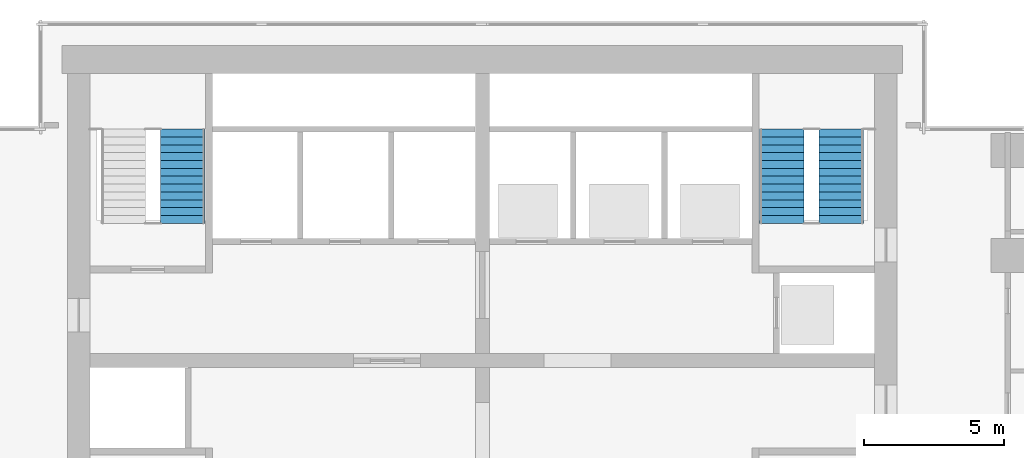
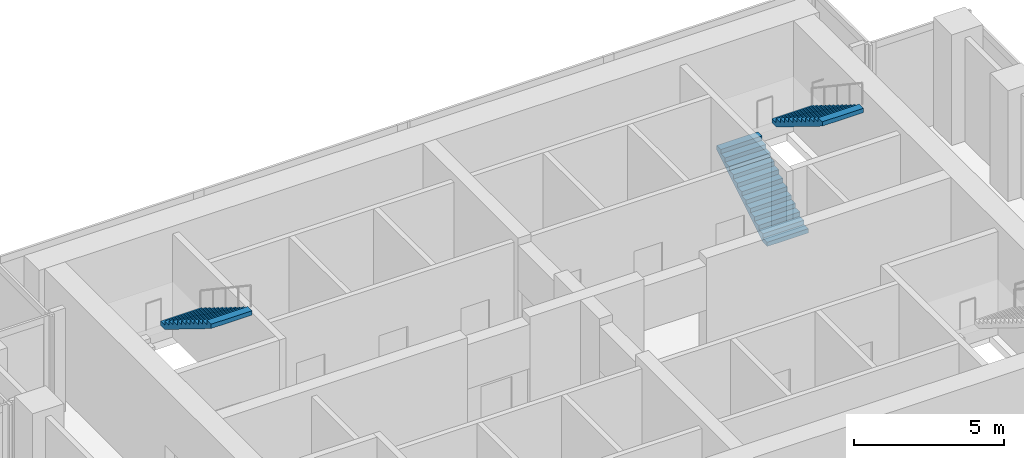
# One storey, part 6 of 8: 3 stair flights, 2 elements without a shape of their own.
"""IFC4 building model written with IfcOpenShell, lengths in metres."""

from ifc_helpers import new_model, si_unit, direction, frame, origin, place, context, subcontext, project, spatial, polyline, outline, extrude, material, type_object, element, aggregate, save


model = new_model("IFC4")

# Units and contexts
model_context = context("Model", 3, precision=1e-05, world=origin(), true_north=direction((0.0, 1.0)))
body_context = subcontext(model_context, "Body", "Model", "MODEL_VIEW")
ifc_project = project(units=[si_unit("LENGTHUNIT", "METRE"), si_unit("AREAUNIT", "SQUARE_METRE"), si_unit("VOLUMEUNIT", "CUBIC_METRE"), si_unit("PLANEANGLEUNIT", "RADIAN"), si_unit("MASSUNIT", "GRAM", prefix="KILO")], contexts=[model_context])

# Site, building, storey
site_placement = place(None, origin())
site = spatial("IfcSite", under=ifc_project, at=site_placement, CompositionType="ELEMENT")
building_placement = place(site_placement, origin())
building = spatial("IfcBuilding", under=site, at=building_placement, Name="Pilkhan Gate Tower", CompositionType="ELEMENT")
storey_placement = place(building_placement, frame((0.0, 0.0, 143.199951171875)))
storey = spatial("IfcBuildingStorey", under=building, at=storey_placement, Name="L36", CompositionType="ELEMENT", Elevation=143.199951171875)

# Stair, stair flight
ifc_material = material(Name="Concrete C40/50 precast", Category="concrete")
stair_type_1 = type_object("IfcStairType", Name="Stair ST3 173x280", PredefinedType="HALF_TURN_STAIR", material=ifc_material)
stair_1_placement = place(storey_placement, origin())
stair_1 = element("IfcStair", 1, at=stair_1_placement, inside=storey, type_object=stair_type_1, Name="Stair ST3 L36", PredefinedType="HALF_TURN_STAIR")
stair_flight_type_1 = type_object("IfcStairFlightType", Name="Stair flight ST3 173x280x13", PredefinedType="STRAIGHT", material=ifc_material)
stair_flight_1_placement = place(storey_placement, frame((64.31005859375, 90.760009765625, 2.25), z_axis=(0.0, 0.0, 1.0), x_axis=(0.0, -1.0, 0.0)))
stair_flight_1 = element("IfcStairFlight", 2, at=stair_flight_1_placement, type_object=stair_flight_type_1, Name="ST3 flight 2", NumberOfRisers=13, NumberOfTreads=12, PredefinedType="STRAIGHT", RiserHeight=0.173076923, TreadLength=0.28, context=body_context, shape_type="SweptSolid", body=[
    extrude(outline(polyline([(0.0, 0.0), (0.0, 0.173095703125), (0.280029296875, 0.173095703125), (0.280029296875, 0.34619140625), (0.56005859375, 0.34619140625), (0.56005859375, 0.519287109375), (0.840087890625, 0.519287109375), (0.840087890625, 0.6923828125), (1.1201171875, 0.6923828125), (1.1201171875, 0.865478515625), (1.39990234375, 0.865478515625), (1.39990234375, 1.03857421875), (1.679931640625, 1.03857421875), (1.679931640625, 1.21142578125), (1.9599609375, 1.21142578125), (1.9599609375, 1.384521484375), (2.239990234375, 1.384521484375), (2.239990234375, 1.5576171875), (2.52001953125, 1.5576171875), (2.52001953125, 1.730712890625), (2.800048828125, 1.730712890625), (2.800048828125, 1.90380859375), (3.080078125, 1.90380859375), (3.080078125, 2.076904296875), (3.360107421875, 2.076904296875), (3.360107421875, 2.25), (3.360107421875, 1.900634765625), (0.28515625, 0.0), (0.0, 0.0)])), frame((0.0, 0.7900390625, 0.0), z_axis=(0.0, -1.0, 0.0), x_axis=(1.0, 0.0, 0.0)), (0.0, 0.0, 1.0), 1.580078125),
])
aggregate(stair_1, [stair_flight_1])

# Stair, stair flights
stair_type_2 = type_object("IfcStairType", Name="Stair ST4 173x280", PredefinedType="HALF_TURN_STAIR", material=ifc_material)
stair_2_placement = place(storey_placement, origin())
stair_2 = element("IfcStair", 3, at=stair_2_placement, inside=storey, type_object=stair_type_2, Name="Stair ST4 L36", PredefinedType="HALF_TURN_STAIR")
stair_flight_type_2 = type_object("IfcStairFlightType", Name="Stair flight ST4 173x280x13", PredefinedType="STRAIGHT", material=ifc_material)
stair_flight_2_placement = place(storey_placement, frame((85.68994140625, 87.39990234375, 0.0), z_axis=(0.0, 0.0, 1.0), x_axis=(0.0, 1.0, 0.0)))
stair_flight_2 = element("IfcStairFlight", 4, at=stair_flight_2_placement, type_object=stair_flight_type_2, Name="ST4 flight 1", NumberOfRisers=13, NumberOfTreads=12, PredefinedType="STRAIGHT", RiserHeight=0.173076923, TreadLength=0.28, context=body_context, shape_type="SweptSolid", body=[
    extrude(outline(polyline([(0.0, 0.0), (0.0, 0.173095703125), (0.280029296875, 0.173095703125), (0.280029296875, 0.34619140625), (0.56005859375, 0.34619140625), (0.56005859375, 0.519287109375), (0.840087890625, 0.519287109375), (0.840087890625, 0.6923828125), (1.1201171875, 0.6923828125), (1.1201171875, 0.865478515625), (1.39990234375, 0.865478515625), (1.39990234375, 1.03857421875), (1.679931640625, 1.03857421875), (1.679931640625, 1.21142578125), (1.9599609375, 1.21142578125), (1.9599609375, 1.384521484375), (2.239990234375, 1.384521484375), (2.239990234375, 1.5576171875), (2.52001953125, 1.5576171875), (2.52001953125, 1.730712890625), (2.800048828125, 1.730712890625), (2.800048828125, 1.90380859375), (3.080078125, 1.90380859375), (3.080078125, 2.076904296875), (3.360107421875, 2.076904296875), (3.360107421875, 2.25), (3.360107421875, 1.900634765625), (0.28515625, 0.0), (0.0, 0.0)])), frame((0.0, 0.7900390625, 0.0), z_axis=(0.0, -1.0, 0.0), x_axis=(1.0, 0.0, 0.0)), (0.0, 0.0, 1.0), 1.580078125),
])
stair_flight_3_placement = place(storey_placement, frame((87.81005859375, 90.760009765625, 2.25), z_axis=(0.0, 0.0, 1.0), x_axis=(0.0, -1.0, 0.0)))
stair_flight_3 = element("IfcStairFlight", 5, at=stair_flight_3_placement, type_object=stair_flight_type_2, Name="ST4 flight 2", NumberOfRisers=13, NumberOfTreads=12, PredefinedType="STRAIGHT", RiserHeight=0.173076923, TreadLength=0.28, context=body_context, shape_type="SweptSolid", body=[
    extrude(outline(polyline([(0.0, 0.0), (0.0, 0.173095703125), (0.280029296875, 0.173095703125), (0.280029296875, 0.34619140625), (0.56005859375, 0.34619140625), (0.56005859375, 0.519287109375), (0.840087890625, 0.519287109375), (0.840087890625, 0.6923828125), (1.1201171875, 0.6923828125), (1.1201171875, 0.865478515625), (1.39990234375, 0.865478515625), (1.39990234375, 1.03857421875), (1.679931640625, 1.03857421875), (1.679931640625, 1.21142578125), (1.9599609375, 1.21142578125), (1.9599609375, 1.384521484375), (2.239990234375, 1.384521484375), (2.239990234375, 1.5576171875), (2.52001953125, 1.5576171875), (2.52001953125, 1.730712890625), (2.800048828125, 1.730712890625), (2.800048828125, 1.90380859375), (3.080078125, 1.90380859375), (3.080078125, 2.076904296875), (3.360107421875, 2.076904296875), (3.360107421875, 2.25), (3.360107421875, 1.900634765625), (0.28515625, 0.0), (0.0, 0.0)])), frame((0.0, 0.7900390625, 0.0), z_axis=(0.0, -1.0, 0.0), x_axis=(1.0, 0.0, 0.0)), (0.0, 0.0, 1.0), 1.580078125),
])
aggregate(stair_2, [stair_flight_2, stair_flight_3])

save(model, "model.ifc")
